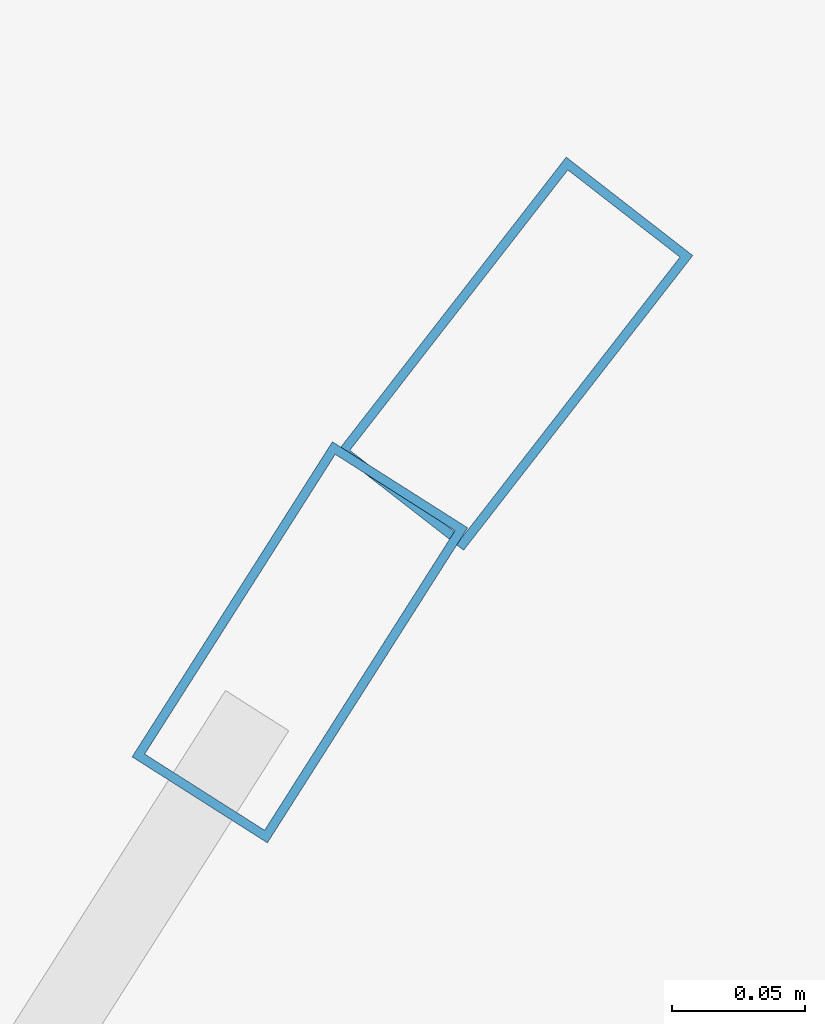
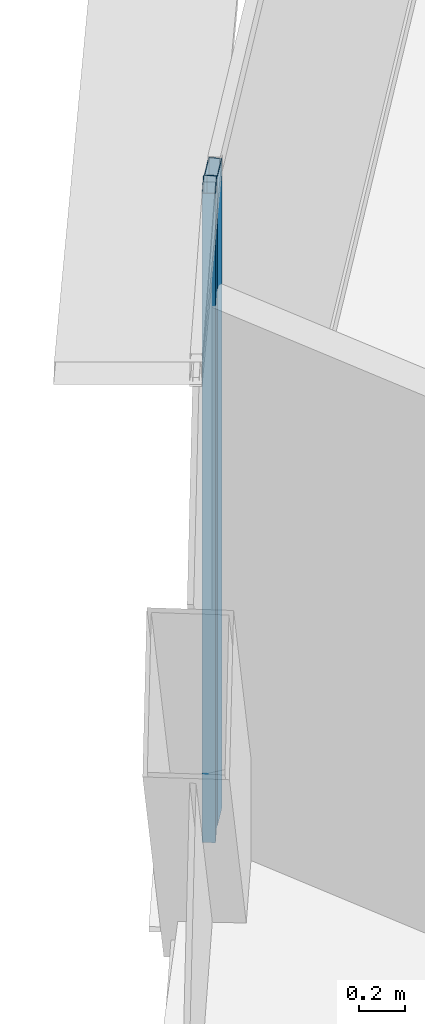
# One storey, part 21 of 35: 2 members, 2 elements without a shape of their own.
"""IFC4 building model written with IfcOpenShell, lengths in metres."""

from ifc_helpers import new_model, si_unit, direction, frame, origin, origin_2d, place, context, subcontext, project, spatial, hollow_rectangle, extrude, source, transform, mapped, material, layer, layer_set, material_profile, profile_set, type_object, element, aggregate, save


model = new_model("IFC4")

# Units and contexts
model_context = context("Model", 3, precision=1e-05, world=origin(), true_north=direction((0.0, 1.0)))
body_context = subcontext(model_context, "Body", "Model", "MODEL_VIEW")
ifc_project = project(units=[si_unit("LENGTHUNIT", "METRE"), si_unit("AREAUNIT", "SQUARE_METRE"), si_unit("VOLUMEUNIT", "CUBIC_METRE"), si_unit("PLANEANGLEUNIT", "RADIAN"), si_unit("MASSUNIT", "GRAM", prefix="KILO"), si_unit("THERMODYNAMICTEMPERATUREUNIT", "KELVIN"), si_unit("POWERUNIT", "WATT")], contexts=[model_context])

# Site, building, storey
site_placement = place(None, origin())
site = spatial("IfcSite", under=ifc_project, at=site_placement, CompositionType="ELEMENT")
building_placement = place(site_placement, origin())
building = spatial("IfcBuilding", under=site, at=building_placement, Name="Yunzhuo Pagoda Commons", CompositionType="ELEMENT")
storey_placement = place(building_placement, frame((0.0, 0.0, 303.669921875)))
storey = spatial("IfcBuildingStorey", under=building, at=storey_placement, Name="L76", CompositionType="ELEMENT", Elevation=303.669921875)

# Curtain wall, member
ifc_material = material(Name="Anodized aluminium 6063-T6", Category="aluminium")
ifc_layer = layer(ifc_material, 0.139892578125)
ifc_layer_set = layer_set([ifc_layer], Name="Anodized aluminium 6063-T6")
curtain_wall_type = type_object("IfcCurtainWallType", Name="CW-HI High-Zone Ribbon Curtain Wall", PredefinedType="NOTDEFINED", material=ifc_layer_set)
curtain_wall_1_placement = place(storey_placement, origin())
curtain_wall_1 = element("IfcCurtainWall", 1, at=curtain_wall_1_placement, inside=storey, type_object=curtain_wall_type, Name="L76 curtain wall CW-L76-F3B2", PredefinedType="NOTDEFINED")
ifc_material_profile = material_profile(ifc_material, hollow_rectangle(XDim=0.06005859375, YDim=0.139892578125, WallThickness=0.00341796875, at=origin_2d()), Name="Anodized aluminium 6063-T6")
ifc_profile_set = profile_set([ifc_material_profile], Name="Anodized aluminium 6063-T6")
member_type = type_object("IfcMemberType", Name="CW-HI-M Mullion RHS 140x60x3.5", PredefinedType="MULLION", material=ifc_profile_set)
shared_shape = source(origin(), body_context, "Body", "SweptSolid", [
    extrude(hollow_rectangle(XDim=0.06005859375, YDim=0.139892578125, WallThickness=0.00341796875, at=origin_2d()), origin(), (0.0, 0.0, 1.0), 3.469970703125),
])
member_1_placement = place(storey_placement, frame((35.119384765625, 62.56884765625, 0.0), z_axis=(0.0, 0.0, 1.0), x_axis=(0.843909804597, -0.536485080599, 0.0)))
member_1 = element("IfcMember", 2, at=member_1_placement, type_object=member_type, Name="CW mullion 1", PredefinedType="MULLION", context=body_context, shape_type="MappedRepresentation", body=[
    mapped(shared_shape, transform((0.0, 0.0, 0.0), scale=1.0)),
])
aggregate(curtain_wall_1, [member_1])

curtain_wall_2_placement = place(storey_placement, origin())
curtain_wall_2 = element("IfcCurtainWall", 3, at=curtain_wall_2_placement, inside=storey, type_object=curtain_wall_type, Name="L76 curtain wall CW-L76-F3B1", PredefinedType="NOTDEFINED")
member_2_placement = place(storey_placement, frame((35.199951171875, 62.677001953125, 0.0), z_axis=(0.0, 0.0, 1.0), x_axis=(0.78943032712, -0.613840173517, 0.0)))
member_2 = element("IfcMember", 4, at=member_2_placement, type_object=member_type, Name="CW mullion 2", PredefinedType="MULLION", context=body_context, shape_type="MappedRepresentation", body=[
    mapped(shared_shape, transform((0.0, 0.0, 0.0), scale=1.0)),
])
aggregate(curtain_wall_2, [member_2])

save(model, "model.ifc")
